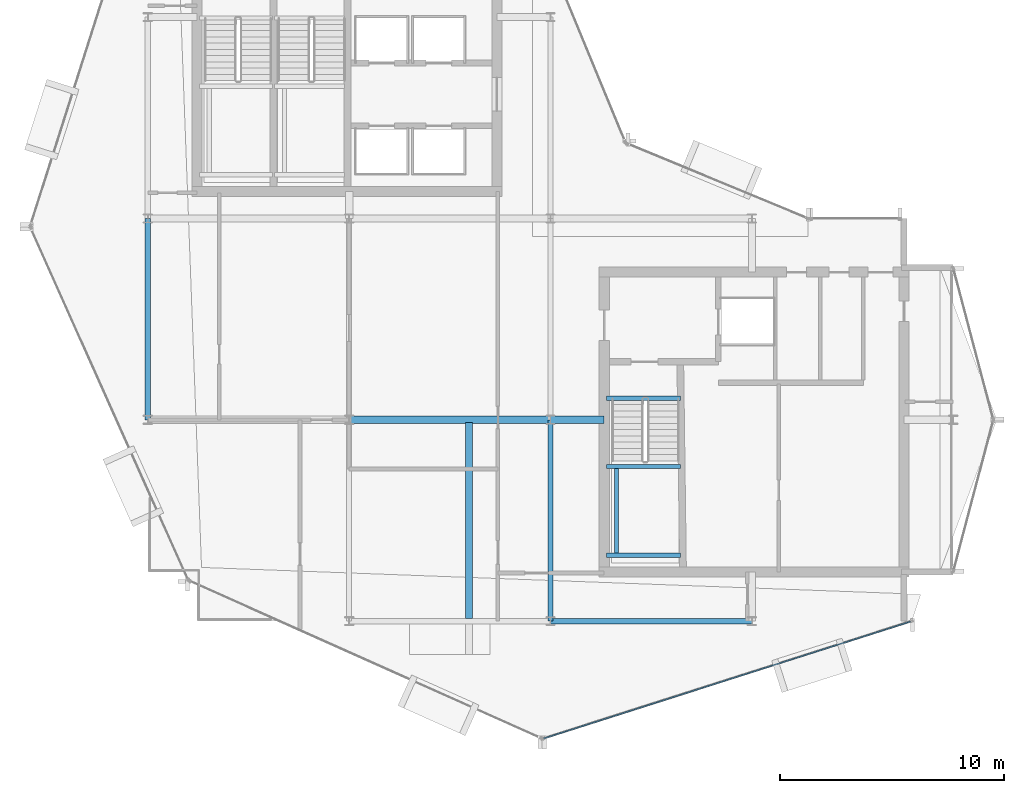
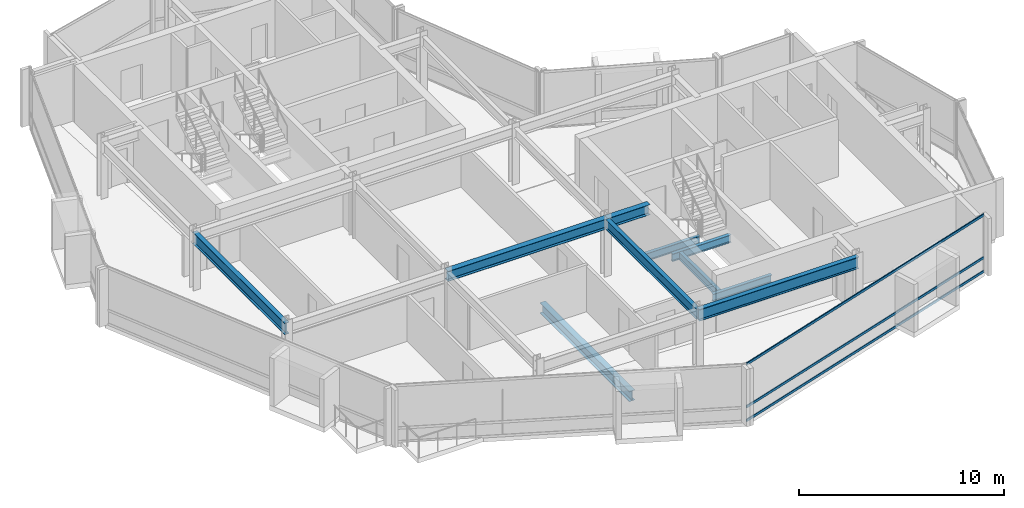
# One storey, part 5 of 19: 10 beams, 3 members, 1 element without a shape of its own.
"""IFC4 building model written with IfcOpenShell, lengths in metres."""

import ifcopenshell
import ifcopenshell.guid

model = None  # the IFC model being written
_history = None  # IfcOwnerHistory: only IFC2X3 demands one
_inside = {}  # id of a spatial element -> (the spatial element, [elements in it])
_under = {}  # id of a project, library or spatial element -> (it, [spatial elements below it])
_declared = {}  # id of a project -> (the project, [libraries it declares])
_typed = {}  # id of a type object -> (the type object, [elements of that type])
_made_of = {}  # id of a material, layer set ... -> (it, [elements and type objects made of it])


def new_model(schema):
    """Start an empty IFC model of exactly this schema.

    Asked for "IFC4X3", IfcOpenShell would pick the latest addendum, in which some entities
    have other attributes; the version numbers below select the first issue.
    IFC2X3 requires an IfcOwnerHistory on every rooted entity: one is made here for all.
    """
    global model, _history
    if schema == "IFC4X3":
        model = ifcopenshell.file(schema_version=(4, 3, 0, 0))
    else:
        model = ifcopenshell.file(schema=schema)
    _inside.clear()
    _under.clear()
    _declared.clear()
    _typed.clear()
    _made_of.clear()
    _history = None
    if model.schema == "IFC2X3":
        org = make("IfcOrganization", Name="unknown")
        user = make(
            "IfcPersonAndOrganization",
            ThePerson=make("IfcPerson", FamilyName="unknown"),
            TheOrganization=org,
        )
        app = make(
            "IfcApplication",
            ApplicationDeveloper=org,
            Version="unknown",
            ApplicationFullName="unknown",
            ApplicationIdentifier="unknown",
        )
        _history = make(
            "IfcOwnerHistory",
            OwningUser=user,
            OwningApplication=app,
            ChangeAction="ADDED",
            CreationDate=0,
        )
    return model


def make(cls, **values):
    """One entity of the class cls with the attributes given. An attribute that is None is left unset."""
    return model.create_entity(
        cls, **{name: value for name, value in values.items() if value is not None}
    )


def rooted(cls, **values):
    """An entity with a GlobalId (a new one), such as an element, a storey or a relation."""
    return make(cls, GlobalId=ifcopenshell.guid.new(), OwnerHistory=_history, **values)


def si_unit(unit_type, name, prefix=None):
    """IfcSIUnit, for example si_unit("LENGTHUNIT", "METRE", prefix="MILLI")."""
    return make("IfcSIUnit", UnitType=unit_type, Prefix=prefix, Name=name)


def assignment(units):
    """IfcUnitAssignment: the units of a project."""
    return None if units is None else make("IfcUnitAssignment", Units=units)


def point(xyz):
    """IfcCartesianPoint."""
    return None if xyz is None else make("IfcCartesianPoint", Coordinates=xyz)


def direction(xyz):
    """IfcDirection."""
    return None if xyz is None else make("IfcDirection", DirectionRatios=xyz)


def frame(location, z_axis=None, x_axis=None):
    """IfcAxis2Placement3D, a coordinate frame: its origin and axes. An axis left out is left unset."""
    return make(
        "IfcAxis2Placement3D",
        Location=point(location),
        Axis=direction(z_axis),
        RefDirection=direction(x_axis),
    )


def frame_2d(location, x_axis=None):
    """IfcAxis2Placement2D, a coordinate frame in the plane: its origin and x axis."""
    return make(
        "IfcAxis2Placement2D", Location=point(location), RefDirection=direction(x_axis)
    )


def origin():
    """The frame at (0, 0, 0) with its axes left unset."""
    return frame((0.0, 0.0, 0.0))


def origin_2d():
    """The frame at (0, 0) in the plane with its x axis left unset."""
    return frame_2d((0.0, 0.0))


def place(relative_to, where):
    """IfcLocalPlacement: puts the frame where relative to a parent placement (None: the world)."""
    return make(
        "IfcLocalPlacement", PlacementRelTo=relative_to, RelativePlacement=where
    )


def context(
    kind, dimensions, precision=None, world=None, true_north=None, identifier=None
):
    """IfcGeometricRepresentationContext, for example the 3D "Model" context."""
    return make(
        "IfcGeometricRepresentationContext",
        ContextIdentifier=identifier,
        ContextType=kind,
        CoordinateSpaceDimension=dimensions,
        Precision=precision,
        WorldCoordinateSystem=world,
        TrueNorth=true_north,
    )


def subcontext(parent, identifier, kind, view, scale=None):
    """IfcGeometricRepresentationSubContext, for example "Body" below "Model"."""
    return make(
        "IfcGeometricRepresentationSubContext",
        ContextIdentifier=identifier,
        ContextType=kind,
        ParentContext=parent,
        TargetScale=scale,
        TargetView=view,
    )


def project(units=None, contexts=None):
    """IfcProject with its units and contexts."""
    return rooted(
        "IfcProject",
        Name="project",
        RepresentationContexts=contexts,
        UnitsInContext=assignment(units),
    )


def spatial(cls, under=None, at=None, **own):
    """A site, building, storey or space (cls), placed at a placement, below another one or the project."""
    s = rooted(cls, ObjectPlacement=at, **own)
    if under is not None:
        _under.setdefault(under.id(), (under, []))[1].append(s)
    return s


def profile(cls, at=None, kind="AREA", **sizes):
    """A parametric profile (cls). Its sizes go by their IFC names, for example OverallWidth=200.0."""
    return make(cls, ProfileType=kind, Position=at, **sizes)


def hollow_rectangle(**sizes):
    """IfcRectangleHollowProfileDef."""
    return profile("IfcRectangleHollowProfileDef", **sizes)


def i_section(**sizes):
    """IfcIShapeProfileDef."""
    return profile("IfcIShapeProfileDef", **sizes)


def extrude(swept, where, along, depth):
    """IfcExtrudedAreaSolid: the profile swept, set in the frame where, extruded along a direction by depth."""
    return make(
        "IfcExtrudedAreaSolid",
        SweptArea=swept,
        Position=where,
        ExtrudedDirection=direction(along),
        Depth=depth,
    )


def shape(context_of_items, identifier, shape_type, items):
    """IfcShapeRepresentation: the items that make up one representation, for example the "Body"."""
    return make(
        "IfcShapeRepresentation",
        ContextOfItems=context_of_items,
        RepresentationIdentifier=identifier,
        RepresentationType=shape_type,
        Items=items,
    )


def material(Name=None, Category=None):
    """IfcMaterial."""
    return make("IfcMaterial", Name=Name, Category=Category)


def layer(
    of_material, thickness, ventilated=None, Name=None, Category=None, Priority=None
):
    """IfcMaterialLayer: one layer of a wall or slab, of a material (None: an air gap)."""
    return make(
        "IfcMaterialLayer",
        Material=of_material,
        LayerThickness=thickness,
        IsVentilated=ventilated,
        Name=Name,
        Category=Category,
        Priority=Priority,
    )


def layer_set(layers, Name=None):
    """IfcMaterialLayerSet."""
    return make("IfcMaterialLayerSet", MaterialLayers=layers, LayerSetName=Name)


def material_profile(
    of_material, cross_section, Name=None, Category=None, Priority=None
):
    """IfcMaterialProfile: a cross section and its material."""
    return make(
        "IfcMaterialProfile",
        Name=Name,
        Material=of_material,
        Profile=cross_section,
        Priority=Priority,
        Category=Category,
    )


def profile_set(profiles, Name=None, composite=None):
    """IfcMaterialProfileSet."""
    return make(
        "IfcMaterialProfileSet",
        Name=Name,
        MaterialProfiles=profiles,
        CompositeProfile=composite,
    )


def made_of(thing, what):
    """Note that an element or type object is made of a material, layer set ...; save() writes the relation."""
    if what is not None:
        _made_of.setdefault(what.id(), (what, []))[1].append(thing)
    return thing


def type_object(cls, material=None, **own):
    """A type object (cls), such as IfcWallType, which elements share."""
    return made_of(rooted(cls, **own), material)


def element(
    cls,
    number,
    at=None,
    inside=None,
    cuts=None,
    type_object=None,
    material=None,
    context=None,
    identifier="Body",
    shape_type=None,
    held_by="IfcProductDefinitionShape",
    body=None,
    shapes=None,
    **own,
):
    """One element of the class cls, such as IfcWall. Its Tag is "e" and its number.

    at: its placement. inside: the storey or other place that contains it. cuts: it is an
    opening in that element (IfcRelVoidsElement). A single representation is given by context,
    identifier, shape_type and body (its items); several are given by shapes. held_by: the class
    of the entity that holds the representations. save() writes the other relations.
    """
    e = rooted(cls, Tag="e%d" % number, ObjectPlacement=at, **own)
    if body is not None:
        shapes = [shape(context, identifier, shape_type, body)]
    if shapes is not None:
        e.Representation = make(held_by, Representations=shapes)
    if inside is not None:
        _inside.setdefault(inside.id(), (inside, []))[1].append(e)
    if cuts is not None:
        rooted(
            "IfcRelVoidsElement", RelatingBuildingElement=cuts, RelatedOpeningElement=e
        )
    if type_object is not None:
        _typed.setdefault(type_object.id(), (type_object, []))[1].append(e)
    return made_of(e, material)


def aggregate(whole, parts):
    """IfcRelAggregates: a whole, such as a stair, and the parts it consists of."""
    return rooted("IfcRelAggregates", RelatingObject=whole, RelatedObjects=parts)


def save(model, path):
    """Write the relations noted so far, then the file.

    IfcRelAggregates (storeys below a building ...), IfcRelContainedInSpatialStructure (elements
    in a storey), IfcRelDefinesByType, IfcRelAssociatesMaterial and IfcRelDeclares: one each for
    every whole, place, type object, material and project.
    """
    for whole, parts in _under.values():
        aggregate(whole, parts)
    for where, things in _inside.values():
        rooted(
            "IfcRelContainedInSpatialStructure",
            RelatedElements=things,
            RelatingStructure=where,
        )
    for kind, things in _typed.values():
        rooted("IfcRelDefinesByType", RelatedObjects=things, RelatingType=kind)
    for what, things in _made_of.values():
        rooted("IfcRelAssociatesMaterial", RelatedObjects=things, RelatingMaterial=what)
    for by, libraries in _declared.values():
        rooted("IfcRelDeclares", RelatingContext=by, RelatedDefinitions=libraries)
    model.write(path)


model = new_model("IFC4")

# Units and contexts
model_context = context("Model", 3, precision=1e-05, world=origin(), true_north=direction((0.0, 1.0)))
body_context = subcontext(model_context, "Body", "Model", "MODEL_VIEW")
ifc_project = project(units=[si_unit("LENGTHUNIT", "METRE"), si_unit("AREAUNIT", "SQUARE_METRE"), si_unit("VOLUMEUNIT", "CUBIC_METRE"), si_unit("PLANEANGLEUNIT", "RADIAN"), si_unit("MASSUNIT", "GRAM", prefix="KILO")], contexts=[model_context])

# Site, building, storey
site_placement = place(None, origin())
site = spatial("IfcSite", under=ifc_project, at=site_placement, CompositionType="ELEMENT")
building_placement = place(site_placement, origin())
building = spatial("IfcBuilding", under=site, at=building_placement, Name="Solvaryn Broadcast Tower", CompositionType="ELEMENT")
storey_placement = place(building_placement, frame((0.0, 0.0, 263.0)))
storey = spatial("IfcBuildingStorey", under=building, at=storey_placement, Name="L66", CompositionType="ELEMENT", Elevation=263.0)

# Beams
ifc_material_1 = material(Name="Steel ASTM A992 Grade 50", Category="steel")
ifc_material_profile_1 = material_profile(ifc_material_1, i_section(OverallWidth=0.323974609375, OverallDepth=0.611083984375, WebThickness=0.0126953125, FlangeThickness=0.01904296875, FilletRadius=0.014892578125, at=origin_2d()))
ifc_profile_set_1 = profile_set([ifc_material_profile_1], Name="Steel ASTM A992 Grade 50")
beam_type_1 = type_object("IfcBeamType", Name="BM-B1-W24X104", PredefinedType="BEAM", material=ifc_profile_set_1)
beam_1_placement = place(storey_placement, frame((23.35009765625, 17.875, -0.58544921875), z_axis=(0.0, -1.0, 0.0), x_axis=(1.0, 0.0, 0.0)))
element("IfcBeam", 1, at=beam_1_placement, inside=storey, type_object=beam_type_1, Name="L66 Bay-Box Back-Span Beam 1", PredefinedType="BEAM", context=body_context, shape_type="SweptSolid", body=[
    extrude(i_section(OverallWidth=0.323974609375, OverallDepth=0.611083984375, WebThickness=0.0126953125, FlangeThickness=0.01904296875, FilletRadius=0.014892578125, at=origin_2d()), origin(), (0.0, 0.0, 1.0), 8.75),
])
beam_2_placement = place(storey_placement, frame((18.0, 18.0, 3.114501953125), z_axis=(1.0, 0.0, 0.0), x_axis=(0.0, 1.0, 0.0)))
element("IfcBeam", 2, at=beam_2_placement, inside=storey, type_object=beam_type_1, Name="L66 Primary Beam X (18-27 @ Y=18)", PredefinedType="BEAM", context=body_context, shape_type="SweptSolid", body=[
    extrude(i_section(OverallWidth=0.323974609375, OverallDepth=0.611083984375, WebThickness=0.0126953125, FlangeThickness=0.01904296875, FilletRadius=0.014892578125, at=origin_2d()), origin(), (0.0, 0.0, 1.0), 9.0),
])
beam_3_placement = place(storey_placement, frame((27.0, 18.0, 3.114501953125), z_axis=(1.0, 0.0, 0.0), x_axis=(0.0, 1.0, 0.0)))
element("IfcBeam", 3, at=beam_3_placement, inside=storey, type_object=beam_type_1, Name="L66 Core Tie Beam CTE4", PredefinedType="BEAM", context=body_context, shape_type="SweptSolid", body=[
    extrude(i_section(OverallWidth=0.323974609375, OverallDepth=0.611083984375, WebThickness=0.0126953125, FlangeThickness=0.01904296875, FilletRadius=0.014892578125, at=origin_2d()), origin(), (0.0, 0.0, 1.0), 2.39990234375),
])
ifc_material_2 = material(Name="Steel ASTM A992 Grade 50", Category="steel")
ifc_material_profile_2 = material_profile(ifc_material_2, i_section(OverallWidth=0.22802734375, OverallDepth=0.60791015625, WebThickness=0.01123046875, FlangeThickness=0.017333984375, FilletRadius=0.014892578125, at=origin_2d()))
ifc_profile_set_2 = profile_set([ifc_material_profile_2], Name="Steel ASTM A992 Grade 50")
beam_type_2 = type_object("IfcBeamType", Name="BM-B2-W24X76", PredefinedType="BEAM", material=ifc_profile_set_2)
beam_4_placement = place(storey_placement, frame((27.0, 9.0, 3.115966796875), z_axis=(0.0, 1.0, 0.0), x_axis=(-1.0, 0.0, 0.0)))
element("IfcBeam", 4, at=beam_4_placement, inside=storey, type_object=beam_type_2, Name="L66 Primary Beam Y (9-18 @ X=27)", PredefinedType="BEAM", context=body_context, shape_type="SweptSolid", body=[
    extrude(i_section(OverallWidth=0.22802734375, OverallDepth=0.60791015625, WebThickness=0.01123046875, FlangeThickness=0.017333984375, FilletRadius=0.014892578125, at=origin_2d()), origin(), (0.0, 0.0, 1.0), 9.0),
])
ifc_material_3 = material(Name="Steel ASTM A992 Grade 50", Category="steel")
ifc_material_profile_3 = material_profile(ifc_material_3, i_section(OverallWidth=0.18994140625, OverallDepth=0.45703125, WebThickness=0.009033203125, FlangeThickness=0.014404296875, FilletRadius=0.011962890625, at=origin_2d()))
ifc_profile_set_3 = profile_set([ifc_material_profile_3], Name="Steel ASTM A992 Grade 50")
beam_type_3 = type_object("IfcBeamType", Name="BM-B4-W18X50", PredefinedType="BEAM", material=ifc_profile_set_3)
for number, where, z_axis, x_axis, name in (
    (5, (29.5, 18.9599609375, -0.508544921875), (1.0, 0.0, 0.0), (0.0, 1.0, 0.0), "L66 ST3 Stair Well Trimmer Beam"),
    (6, (29.5, 11.949951171875, 1.42138671875), (1.0, 0.0, 0.0), (0.0, 1.0, 0.0), "L66 ST3 Landing Support Beam 1A"),
    (7, (29.5, 15.909912109375, 1.42138671875), (1.0, 0.0, 0.0), (0.0, 1.0, 0.0), "L66 ST3 Landing Support Beam 1B"),
):
    element("IfcBeam", number, at=place(storey_placement, frame(where, z_axis=z_axis, x_axis=x_axis)), inside=storey, type_object=beam_type_3, Name=name, PredefinedType="BEAM", context=body_context, shape_type="SweptSolid", body=[
        extrude(i_section(OverallWidth=0.18994140625, OverallDepth=0.45703125, WebThickness=0.009033203125, FlangeThickness=0.014404296875, FilletRadius=0.011962890625, at=origin_2d()), origin(), (0.0, 0.0, 1.0), 3.320068359375),
    ])
beam_5_placement = place(storey_placement, frame((29.949951171875, 11.949951171875, 1.42138671875), z_axis=(0.0, 1.0, 0.0), x_axis=(-1.0, 0.0, 0.0)))
element("IfcBeam", 8, at=beam_5_placement, inside=storey, type_object=beam_type_3, Name="L66 ST3 Landing Cross Stringer 1C", PredefinedType="BEAM", context=body_context, shape_type="SweptSolid", body=[
    extrude(i_section(OverallWidth=0.18994140625, OverallDepth=0.45703125, WebThickness=0.009033203125, FlangeThickness=0.014404296875, FilletRadius=0.011962890625, at=origin_2d()), origin(), (0.0, 0.0, 1.0), 3.9599609375),
])
ifc_material_4 = material(Name="Steel ASTM A992 Grade 50", Category="steel")
ifc_material_profile_4 = material_profile(ifc_material_4, i_section(OverallWidth=0.256103515625, OverallDepth=0.693115234375, WebThickness=0.014404296875, FlangeThickness=0.023681640625, FilletRadius=0.01611328125, at=origin_2d()))
ifc_profile_set_4 = profile_set([ifc_material_profile_4], Name="Steel ASTM A992 Grade 50")
beam_type_4 = type_object("IfcBeamType", Name="BM-SP3-W27X114", PredefinedType="USERDEFINED", material=ifc_profile_set_4)
for number, where, z_axis, x_axis, name in (
    (9, (27.0, 9.0, 3.073486328125), (1.0, 0.0, 0.0), (0.0, 1.0, 0.0), "L66 Spandrel Beam X (27-36 @ Y=9)"),
    (10, (9.0, 18.0, 3.073486328125), (0.0, 1.0, 0.0), (-1.0, 0.0, 0.0), "L66 Spandrel Beam Y (18-27 @ X=9)"),
):
    element("IfcBeam", number, at=place(storey_placement, frame(where, z_axis=z_axis, x_axis=x_axis)), inside=storey, type_object=beam_type_4, Name=name, ObjectType="SPANDREL", PredefinedType="USERDEFINED", context=body_context, shape_type="SweptSolid", body=[
        extrude(i_section(OverallWidth=0.256103515625, OverallDepth=0.693115234375, WebThickness=0.014404296875, FlangeThickness=0.023681640625, FilletRadius=0.01611328125, at=origin_2d()), origin(), (0.0, 0.0, 1.0), 9.0),
    ])

# Curtain wall, members
ifc_material_5 = material(Name="Aluminium and Terracotta Unitised Curtain Wall", Category="masonry")
ifc_layer = layer(ifc_material_5, 0.199951171875)
ifc_layer_set = layer_set([ifc_layer], Name="CW-SYS2-LOWMID")
curtain_wall_type = type_object("IfcCurtainWallType", Name="CW-SYS2-LOWMID", PredefinedType="NOTDEFINED", material=ifc_layer_set)
curtain_wall_placement = place(storey_placement, origin())
curtain_wall = element("IfcCurtainWall", 11, at=curtain_wall_placement, inside=storey, type_object=curtain_wall_type, Name="L66 Curtain Wall DR4", PredefinedType="NOTDEFINED")
ifc_material_6 = material(Name="Anodised Aluminium 6063-T6", Category="aluminium")
ifc_material_profile_5 = material_profile(ifc_material_6, hollow_rectangle(XDim=0.06494140625, YDim=0.14990234375, WallThickness=0.00390625, InnerFilletRadius=0.00390625, OuterFilletRadius=0.008056640625, at=origin_2d()))
ifc_profile_set_5 = profile_set([ifc_material_profile_5], Name="Anodised Aluminium 6063-T6")
member_type = type_object("IfcMemberType", Name="CW-TRN-150", PredefinedType="USERDEFINED", material=ifc_profile_set_5)
member_1_placement = place(storey_placement, frame((26.693115234375, 3.756103515625, 0.030029296875), z_axis=(0.952794352661, 0.303616405252, 0.0), x_axis=(-0.303616405252, 0.952794352661, 0.0)))
member_1 = element("IfcMember", 12, at=member_1_placement, type_object=member_type, Name="CWS2 transom 1.1", ObjectType="TRANSOM", PredefinedType="USERDEFINED", context=body_context, shape_type="SweptSolid", body=[
    extrude(hollow_rectangle(XDim=0.06494140625, YDim=0.14990234375, WallThickness=0.00390625, InnerFilletRadius=0.00390625, OuterFilletRadius=0.008056640625, at=origin_2d()), origin(), (0.0, 0.0, 1.0), 17.211181640625),
])
member_2_placement = place(storey_placement, frame((26.693115234375, 3.756103515625, 0.85009765625), z_axis=(0.952794352661, 0.303616405252, 0.0), x_axis=(-0.303616405252, 0.952794352661, 0.0)))
member_2 = element("IfcMember", 13, at=member_2_placement, type_object=member_type, Name="CWS2 transom 1.2", ObjectType="TRANSOM", PredefinedType="USERDEFINED", context=body_context, shape_type="SweptSolid", body=[
    extrude(hollow_rectangle(XDim=0.06494140625, YDim=0.14990234375, WallThickness=0.00390625, InnerFilletRadius=0.00390625, OuterFilletRadius=0.008056640625, at=origin_2d()), origin(), (0.0, 0.0, 1.0), 17.211181640625),
])
member_3_placement = place(storey_placement, frame((26.693115234375, 3.756103515625, 3.389892578125), z_axis=(0.952794352661, 0.303616405252, 0.0), x_axis=(-0.303616405252, 0.952794352661, 0.0)))
member_3 = element("IfcMember", 14, at=member_3_placement, type_object=member_type, Name="CWS2 transom 1.3", ObjectType="TRANSOM", PredefinedType="USERDEFINED", context=body_context, shape_type="SweptSolid", body=[
    extrude(hollow_rectangle(XDim=0.06494140625, YDim=0.14990234375, WallThickness=0.00390625, InnerFilletRadius=0.00390625, OuterFilletRadius=0.008056640625, at=origin_2d()), origin(), (0.0, 0.0, 1.0), 17.211181640625),
])
aggregate(curtain_wall, [member_1, member_2, member_3])

save(model, "model.ifc")
